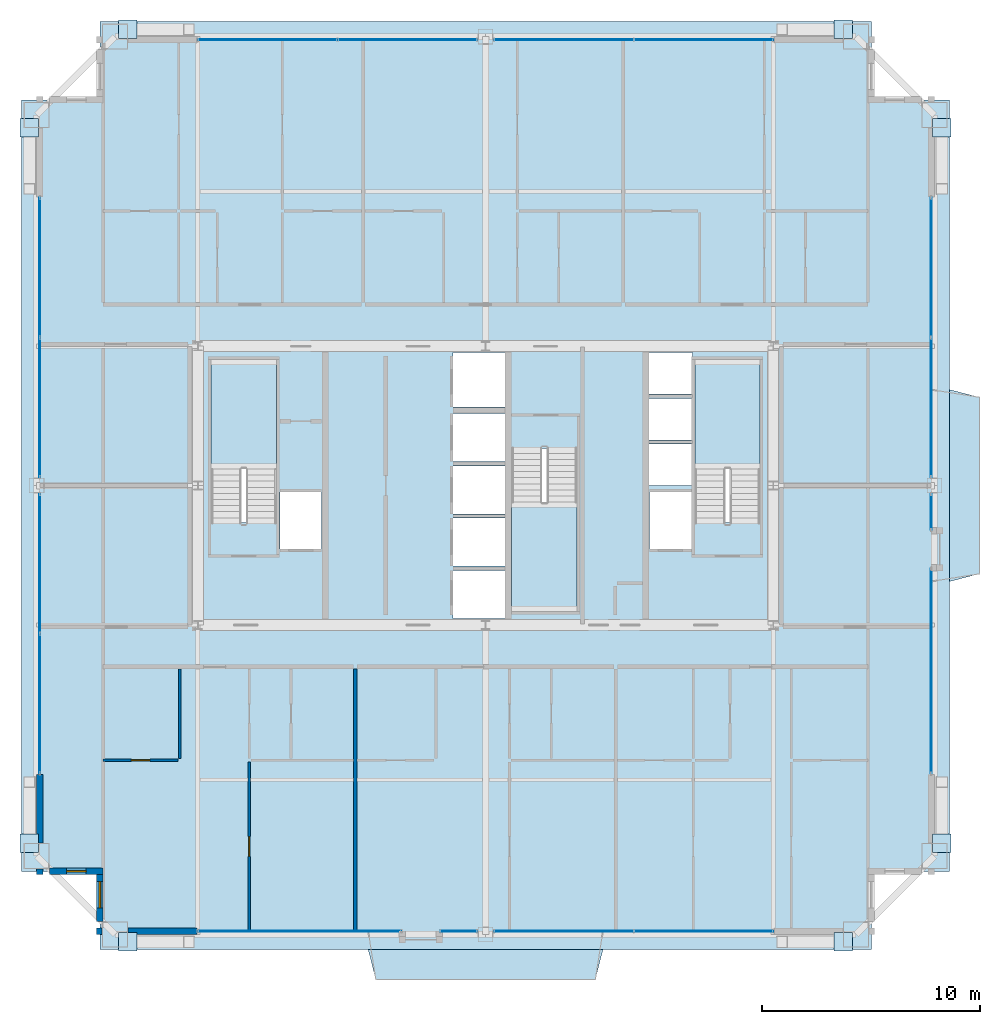
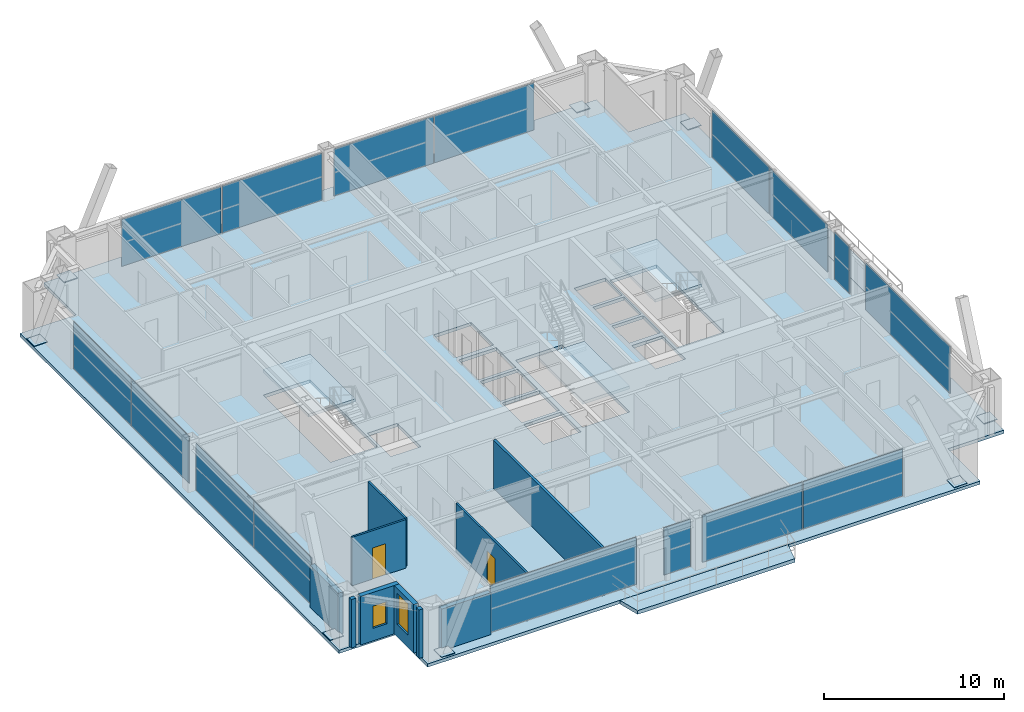
# One storey, part 29 of 35: 24 plates, 10 walls, 6 slabs, 2 doors, 2 windows, 4 openings, 13 elements without a shape of their own.
"""IFC4 building model written with IfcOpenShell, lengths in metres."""

import ifcopenshell
import ifcopenshell.guid

model = None  # the IFC model being written
_history = None  # IfcOwnerHistory: only IFC2X3 demands one
_inside = {}  # id of a spatial element -> (the spatial element, [elements in it])
_under = {}  # id of a project, library or spatial element -> (it, [spatial elements below it])
_declared = {}  # id of a project -> (the project, [libraries it declares])
_typed = {}  # id of a type object -> (the type object, [elements of that type])
_made_of = {}  # id of a material, layer set ... -> (it, [elements and type objects made of it])


def new_model(schema):
    """Start an empty IFC model of exactly this schema.

    Asked for "IFC4X3", IfcOpenShell would pick the latest addendum, in which some entities
    have other attributes; the version numbers below select the first issue.
    IFC2X3 requires an IfcOwnerHistory on every rooted entity: one is made here for all.
    """
    global model, _history
    if schema == "IFC4X3":
        model = ifcopenshell.file(schema_version=(4, 3, 0, 0))
    else:
        model = ifcopenshell.file(schema=schema)
    _inside.clear()
    _under.clear()
    _declared.clear()
    _typed.clear()
    _made_of.clear()
    _history = None
    if model.schema == "IFC2X3":
        org = make("IfcOrganization", Name="unknown")
        user = make(
            "IfcPersonAndOrganization",
            ThePerson=make("IfcPerson", FamilyName="unknown"),
            TheOrganization=org,
        )
        app = make(
            "IfcApplication",
            ApplicationDeveloper=org,
            Version="unknown",
            ApplicationFullName="unknown",
            ApplicationIdentifier="unknown",
        )
        _history = make(
            "IfcOwnerHistory",
            OwningUser=user,
            OwningApplication=app,
            ChangeAction="ADDED",
            CreationDate=0,
        )
    return model


def make(cls, **values):
    """One entity of the class cls with the attributes given. An attribute that is None is left unset."""
    return model.create_entity(
        cls, **{name: value for name, value in values.items() if value is not None}
    )


def rooted(cls, **values):
    """An entity with a GlobalId (a new one), such as an element, a storey or a relation."""
    return make(cls, GlobalId=ifcopenshell.guid.new(), OwnerHistory=_history, **values)


def si_unit(unit_type, name, prefix=None):
    """IfcSIUnit, for example si_unit("LENGTHUNIT", "METRE", prefix="MILLI")."""
    return make("IfcSIUnit", UnitType=unit_type, Prefix=prefix, Name=name)


def assignment(units):
    """IfcUnitAssignment: the units of a project."""
    return None if units is None else make("IfcUnitAssignment", Units=units)


def point(xyz):
    """IfcCartesianPoint."""
    return None if xyz is None else make("IfcCartesianPoint", Coordinates=xyz)


def direction(xyz):
    """IfcDirection."""
    return None if xyz is None else make("IfcDirection", DirectionRatios=xyz)


def frame(location, z_axis=None, x_axis=None):
    """IfcAxis2Placement3D, a coordinate frame: its origin and axes. An axis left out is left unset."""
    return make(
        "IfcAxis2Placement3D",
        Location=point(location),
        Axis=direction(z_axis),
        RefDirection=direction(x_axis),
    )


def frame_2d(location, x_axis=None):
    """IfcAxis2Placement2D, a coordinate frame in the plane: its origin and x axis."""
    return make(
        "IfcAxis2Placement2D", Location=point(location), RefDirection=direction(x_axis)
    )


def origin():
    """The frame at (0, 0, 0) with its axes left unset."""
    return frame((0.0, 0.0, 0.0))


def origin_2d():
    """The frame at (0, 0) in the plane with its x axis left unset."""
    return frame_2d((0.0, 0.0))


def place(relative_to, where):
    """IfcLocalPlacement: puts the frame where relative to a parent placement (None: the world)."""
    return make(
        "IfcLocalPlacement", PlacementRelTo=relative_to, RelativePlacement=where
    )


def context(
    kind, dimensions, precision=None, world=None, true_north=None, identifier=None
):
    """IfcGeometricRepresentationContext, for example the 3D "Model" context."""
    return make(
        "IfcGeometricRepresentationContext",
        ContextIdentifier=identifier,
        ContextType=kind,
        CoordinateSpaceDimension=dimensions,
        Precision=precision,
        WorldCoordinateSystem=world,
        TrueNorth=true_north,
    )


def subcontext(parent, identifier, kind, view, scale=None):
    """IfcGeometricRepresentationSubContext, for example "Body" below "Model"."""
    return make(
        "IfcGeometricRepresentationSubContext",
        ContextIdentifier=identifier,
        ContextType=kind,
        ParentContext=parent,
        TargetScale=scale,
        TargetView=view,
    )


def project(units=None, contexts=None):
    """IfcProject with its units and contexts."""
    return rooted(
        "IfcProject",
        Name="project",
        RepresentationContexts=contexts,
        UnitsInContext=assignment(units),
    )


def spatial(cls, under=None, at=None, **own):
    """A site, building, storey or space (cls), placed at a placement, below another one or the project."""
    s = rooted(cls, ObjectPlacement=at, **own)
    if under is not None:
        _under.setdefault(under.id(), (under, []))[1].append(s)
    return s


def polyline(points):
    """IfcPolyline through the points."""
    return make("IfcPolyline", Points=[point(p) for p in points])


def profile(cls, at=None, kind="AREA", **sizes):
    """A parametric profile (cls). Its sizes go by their IFC names, for example OverallWidth=200.0."""
    return make(cls, ProfileType=kind, Position=at, **sizes)


def rectangle(**sizes):
    """IfcRectangleProfileDef."""
    return profile("IfcRectangleProfileDef", **sizes)


def outline(outer, holes=None, kind="AREA"):
    """IfcArbitraryClosedProfileDef: a profile drawn as a closed curve; with holes, ...WithVoids."""
    if holes is None:
        return make("IfcArbitraryClosedProfileDef", ProfileType=kind, OuterCurve=outer)
    return make(
        "IfcArbitraryProfileDefWithVoids",
        ProfileType=kind,
        OuterCurve=outer,
        InnerCurves=holes,
    )


def extrude(swept, where, along, depth):
    """IfcExtrudedAreaSolid: the profile swept, set in the frame where, extruded along a direction by depth."""
    return make(
        "IfcExtrudedAreaSolid",
        SweptArea=swept,
        Position=where,
        ExtrudedDirection=direction(along),
        Depth=depth,
    )


def shape(context_of_items, identifier, shape_type, items):
    """IfcShapeRepresentation: the items that make up one representation, for example the "Body"."""
    return make(
        "IfcShapeRepresentation",
        ContextOfItems=context_of_items,
        RepresentationIdentifier=identifier,
        RepresentationType=shape_type,
        Items=items,
    )


def source(mapping_origin, context_of_items, identifier, shape_type, items):
    """IfcRepresentationMap: a shape defined once, which mapped items show again and again."""
    return make(
        "IfcRepresentationMap",
        MappingOrigin=mapping_origin,
        MappedRepresentation=shape(context_of_items, identifier, shape_type, items),
    )


def transform(
    local_origin,
    x_axis=None,
    y_axis=None,
    z_axis=None,
    scale=None,
    scale2=None,
    scale3=None,
    uniform=True,
):
    """IfcCartesianTransformationOperator3D, or its non-uniform kind. x_axis, y_axis, z_axis: its Axis1, 2, 3."""
    if uniform:
        return make(
            "IfcCartesianTransformationOperator3D",
            Axis1=direction(x_axis),
            Axis2=direction(y_axis),
            LocalOrigin=point(local_origin),
            Scale=scale,
            Axis3=direction(z_axis),
        )
    return make(
        "IfcCartesianTransformationOperator3DnonUniform",
        Axis1=direction(x_axis),
        Axis2=direction(y_axis),
        LocalOrigin=point(local_origin),
        Scale=scale,
        Axis3=direction(z_axis),
        Scale2=scale2,
        Scale3=scale3,
    )


def mapped(mapping_source, mapping_target):
    """IfcMappedItem: shows the shape of a source again, moved by a transform."""
    return make(
        "IfcMappedItem", MappingSource=mapping_source, MappingTarget=mapping_target
    )


def material(Name=None, Category=None):
    """IfcMaterial."""
    return make("IfcMaterial", Name=Name, Category=Category)


def layer(
    of_material, thickness, ventilated=None, Name=None, Category=None, Priority=None
):
    """IfcMaterialLayer: one layer of a wall or slab, of a material (None: an air gap)."""
    return make(
        "IfcMaterialLayer",
        Material=of_material,
        LayerThickness=thickness,
        IsVentilated=ventilated,
        Name=Name,
        Category=Category,
        Priority=Priority,
    )


def layer_set(layers, Name=None):
    """IfcMaterialLayerSet."""
    return make("IfcMaterialLayerSet", MaterialLayers=layers, LayerSetName=Name)


def made_of(thing, what):
    """Note that an element or type object is made of a material, layer set ...; save() writes the relation."""
    if what is not None:
        _made_of.setdefault(what.id(), (what, []))[1].append(thing)
    return thing


def type_object(cls, material=None, **own):
    """A type object (cls), such as IfcWallType, which elements share."""
    return made_of(rooted(cls, **own), material)


def element(
    cls,
    number,
    at=None,
    inside=None,
    cuts=None,
    type_object=None,
    material=None,
    context=None,
    identifier="Body",
    shape_type=None,
    held_by="IfcProductDefinitionShape",
    body=None,
    shapes=None,
    **own,
):
    """One element of the class cls, such as IfcWall. Its Tag is "e" and its number.

    at: its placement. inside: the storey or other place that contains it. cuts: it is an
    opening in that element (IfcRelVoidsElement). A single representation is given by context,
    identifier, shape_type and body (its items); several are given by shapes. held_by: the class
    of the entity that holds the representations. save() writes the other relations.
    """
    e = rooted(cls, Tag="e%d" % number, ObjectPlacement=at, **own)
    if body is not None:
        shapes = [shape(context, identifier, shape_type, body)]
    if shapes is not None:
        e.Representation = make(held_by, Representations=shapes)
    if inside is not None:
        _inside.setdefault(inside.id(), (inside, []))[1].append(e)
    if cuts is not None:
        rooted(
            "IfcRelVoidsElement", RelatingBuildingElement=cuts, RelatedOpeningElement=e
        )
    if type_object is not None:
        _typed.setdefault(type_object.id(), (type_object, []))[1].append(e)
    return made_of(e, material)


def fill(opening, filler):
    """IfcRelFillsElement: the door or window that sits in an opening."""
    return rooted(
        "IfcRelFillsElement",
        RelatingOpeningElement=opening,
        RelatedBuildingElement=filler,
    )


def aggregate(whole, parts):
    """IfcRelAggregates: a whole, such as a stair, and the parts it consists of."""
    return rooted("IfcRelAggregates", RelatingObject=whole, RelatedObjects=parts)


def save(model, path):
    """Write the relations noted so far, then the file.

    IfcRelAggregates (storeys below a building ...), IfcRelContainedInSpatialStructure (elements
    in a storey), IfcRelDefinesByType, IfcRelAssociatesMaterial and IfcRelDeclares: one each for
    every whole, place, type object, material and project.
    """
    for whole, parts in _under.values():
        aggregate(whole, parts)
    for where, things in _inside.values():
        rooted(
            "IfcRelContainedInSpatialStructure",
            RelatedElements=things,
            RelatingStructure=where,
        )
    for kind, things in _typed.values():
        rooted("IfcRelDefinesByType", RelatedObjects=things, RelatingType=kind)
    for what, things in _made_of.values():
        rooted("IfcRelAssociatesMaterial", RelatedObjects=things, RelatingMaterial=what)
    for by, libraries in _declared.values():
        rooted("IfcRelDeclares", RelatingContext=by, RelatedDefinitions=libraries)
    model.write(path)


model = new_model("IFC4")

# Units and contexts
model_context = context("Model", 3, precision=1e-05, world=origin(), true_north=direction((0.0, 1.0)))
body_context = subcontext(model_context, "Body", "Model", "MODEL_VIEW")
ifc_project = project(units=[si_unit("LENGTHUNIT", "METRE"), si_unit("AREAUNIT", "SQUARE_METRE"), si_unit("VOLUMEUNIT", "CUBIC_METRE"), si_unit("PLANEANGLEUNIT", "RADIAN"), si_unit("MASSUNIT", "GRAM", prefix="KILO"), si_unit("THERMODYNAMICTEMPERATUREUNIT", "KELVIN"), si_unit("POWERUNIT", "WATT")], contexts=[model_context])

# Site, building, storey
site_placement = place(None, origin())
site = spatial("IfcSite", under=ifc_project, at=site_placement, CompositionType="ELEMENT")
building_placement = place(site_placement, origin())
building = spatial("IfcBuilding", under=site, at=building_placement, Name="Yuzanri Waterfront Tower", CompositionType="ELEMENT")
storey_placement = place(building_placement, frame((0.0, 0.0, 248.60009765625)))
storey = spatial("IfcBuildingStorey", under=building, at=storey_placement, Name="L66", CompositionType="ELEMENT", Elevation=248.60009765625)

# Stair, slab
ifc_material_1 = material(Name="Concrete C40", Category="concrete")
stair_type = type_object("IfcStairType", Name="Concrete C40 Core Dogleg Exit Stair", PredefinedType="HALF_TURN_STAIR", material=ifc_material_1)
stair_1_placement = place(storey_placement, origin())
stair_1 = element("IfcStair", 1, at=stair_1_placement, inside=storey, type_object=stair_type, Name="L66 Smoke-Proof Core Stair ST-01", PredefinedType="HALF_TURN_STAIR")
ifc_material_2 = material(Name="Concrete C40", Category="concrete")
ifc_layer_1 = layer(ifc_material_2, 0.179931640625)
ifc_layer_set_1 = layer_set([ifc_layer_1], Name="Concrete C40")
slab_type_1 = type_object("IfcSlabType", Name="Concrete C40 Stair Half-Landing Slab 180", PredefinedType="LANDING", material=ifc_layer_set_1)
slab_1_placement = place(storey_placement, frame((0.0, 0.0, 1.5498046875)))
slab_1 = element("IfcSlab", 2, at=slab_1_placement, type_object=slab_type_1, Name="ST-01 landing 1", PredefinedType="LANDING", context=body_context, shape_type="SweptSolid", body=[
    extrude(outline(polyline([(27.39990234375, 26.56005859375), (27.39990234375, 31.580078125), (24.39990234375, 31.580078125), (24.39990234375, 26.56005859375), (27.39990234375, 26.56005859375)])), origin(), (0.0, 0.0, 1.0), 0.2001953125),
])
aggregate(stair_1, [slab_1])

stair_2_placement = place(storey_placement, origin())
stair_2 = element("IfcStair", 3, at=stair_2_placement, inside=storey, type_object=stair_type, Name="L66 Smoke-Proof Core Stair ST-02", PredefinedType="HALF_TURN_STAIR")
slab_2_placement = place(storey_placement, frame((0.0, 0.0, 1.5498046875)))
slab_2 = element("IfcSlab", 4, at=slab_2_placement, type_object=slab_type_1, Name="ST-02 landing 1", PredefinedType="LANDING", context=body_context, shape_type="SweptSolid", body=[
    extrude(outline(polyline([(49.60009765625, 26.56005859375), (49.60009765625, 31.580078125), (46.60009765625, 31.580078125), (46.60009765625, 26.56005859375), (49.60009765625, 26.56005859375)])), origin(), (0.0, 0.0, 1.0), 0.2001953125),
])
aggregate(stair_2, [slab_2])

stair_3_placement = place(storey_placement, origin())
stair_3 = element("IfcStair", 5, at=stair_3_placement, inside=storey, type_object=stair_type, Name="L66 Smoke-Proof Core Stair ST-03", PredefinedType="HALF_TURN_STAIR")
slab_3_placement = place(storey_placement, frame((0.0, 0.0, 1.5498046875)))
slab_3 = element("IfcSlab", 6, at=slab_3_placement, type_object=slab_type_1, Name="ST-03 landing 1", PredefinedType="LANDING", context=body_context, shape_type="SweptSolid", body=[
    extrude(outline(polyline([(38.199951171875, 25.0400390625), (38.199951171875, 20.02001953125), (41.199951171875, 20.02001953125), (41.199951171875, 25.0400390625), (38.199951171875, 25.0400390625)])), origin(), (0.0, 0.0, 1.0), 0.2001953125),
])
aggregate(stair_3, [slab_3])

# Slabs
ifc_material_3 = material(Name="Concrete C40", Category="concrete")
ifc_layer_2 = layer(ifc_material_3, 0.25)
ifc_layer_set_2 = layer_set([ifc_layer_2], Name="Concrete C40")
slab_type_2 = type_object("IfcSlabType", Name="Concrete C40 Stepped Gorge Pocket Garden Terrace Slab 250", PredefinedType="FLOOR", material=ifc_layer_set_2)
slab_4_placement = place(storey_placement, frame((0.0, 0.0, -0.25)))
element("IfcSlab", 7, at=slab_4_placement, inside=storey, type_object=slab_type_2, Name="L66 S Cantilevered Engawa Terrace Slab", PredefinedType="FLOOR", context=body_context, shape_type="SweptSolid", body=[
    extrude(outline(polyline([(31.614501953125, 4.5), (42.385498046875, 4.5), (42.035400390625, 3.135009765625), (31.964599609375, 3.135009765625), (31.614501953125, 4.5)])), origin(), (0.0, 0.0, 1.0), 0.25),
])
slab_5_placement = place(storey_placement, frame((0.0, 0.0, -0.25)))
element("IfcSlab", 8, at=slab_5_placement, inside=storey, type_object=slab_type_2, Name="L66 E Cantilevered Engawa Terrace Slab", PredefinedType="FLOOR", context=body_context, shape_type="SweptSolid", body=[
    extrude(outline(polyline([(58.300048828125, 21.39990234375), (59.6650390625, 21.75), (59.6650390625, 29.85009765625), (58.300048828125, 30.199951171875), (58.300048828125, 21.39990234375)])), origin(), (0.0, 0.0, 1.0), 0.25),
])
ifc_material_4 = material(Name="Concrete C40", Category="concrete")
ifc_layer_3 = layer(ifc_material_4, 0.219970703125)
ifc_layer_set_3 = layer_set([ifc_layer_3], Name="Concrete C40")
slab_type_3 = type_object("IfcSlabType", Name="Concrete C40 Tower Typical Structural Floor Slab 220", PredefinedType="FLOOR", material=ifc_layer_set_3)
slab_6_placement = place(storey_placement, frame((0.0, 0.0, -0.22021484375)))
element("IfcSlab", 9, at=slab_6_placement, inside=storey, type_object=slab_type_3, Name="L66 Main Structural Floor Slab", PredefinedType="FLOOR", context=body_context, shape_type="SweptSolid", body=[
    extrude(outline(polyline([(19.300048828125, 4.5), (54.699951171875, 4.5), (54.699951171875, 8.10009765625), (58.300048828125, 8.10009765625), (58.300048828125, 43.5), (54.699951171875, 43.5), (54.699951171875, 47.10009765625), (19.300048828125, 47.10009765625), (19.300048828125, 43.5), (15.699951171875, 43.5), (15.699951171875, 8.10009765625), (19.300048828125, 8.10009765625), (19.300048828125, 4.5)]), holes=[polyline([(27.39990234375, 24.10009765625), (27.39990234375, 31.580078125), (24.39990234375, 31.580078125), (24.39990234375, 24.10009765625), (27.39990234375, 24.10009765625)]), polyline([(49.60009765625, 24.10009765625), (49.60009765625, 31.580078125), (46.60009765625, 31.580078125), (46.60009765625, 24.10009765625), (49.60009765625, 24.10009765625)]), polyline([(38.199951171875, 27.5), (38.199951171875, 20.02001953125), (41.199951171875, 20.02001953125), (41.199951171875, 27.5), (38.199951171875, 27.5)]), polyline([(27.56005859375, 22.89990234375), (29.47998046875, 22.89990234375), (29.47998046875, 25.5), (27.56005859375, 25.5), (27.56005859375, 22.89990234375)]), polyline([(44.52001953125, 22.89990234375), (46.43994140625, 22.89990234375), (46.43994140625, 25.5), (44.52001953125, 25.5), (44.52001953125, 22.89990234375)]), polyline([(35.5, 19.699951171875), (37.89990234375, 19.699951171875), (37.89990234375, 21.89990234375), (35.5, 21.89990234375), (35.5, 19.699951171875)]), polyline([(35.5, 22.10009765625), (37.89990234375, 22.10009765625), (37.89990234375, 24.300048828125), (35.5, 24.300048828125), (35.5, 22.10009765625)]), polyline([(35.5, 24.5), (37.89990234375, 24.5), (37.89990234375, 26.699951171875), (35.5, 26.699951171875), (35.5, 24.5)]), polyline([(35.5, 26.89990234375), (37.89990234375, 26.89990234375), (37.89990234375, 29.10009765625), (35.5, 29.10009765625), (35.5, 26.89990234375)]), polyline([(35.5, 29.39990234375), (37.89990234375, 29.39990234375), (37.89990234375, 31.89990234375), (35.5, 31.89990234375), (35.5, 29.39990234375)]), polyline([(44.5, 25.800048828125), (46.5, 25.800048828125), (46.5, 27.699951171875), (44.5, 27.699951171875), (44.5, 25.800048828125)]), polyline([(44.5, 27.89990234375), (46.5, 27.89990234375), (46.5, 29.800048828125), (44.5, 29.800048828125), (44.5, 27.89990234375)]), polyline([(44.5, 30.0), (46.5, 30.0), (46.5, 31.89990234375), (44.5, 31.89990234375), (44.5, 30.0)])]), origin(), (0.0, 0.0, 1.0), 0.22021484375),
])

# Plates
ifc_material_5 = material(Name="Steel Q420GJC", Category="steel")
ifc_layer_4 = layer(ifc_material_5, 0.0400390625)
ifc_layer_set_4 = layer_set([ifc_layer_4], Name="Steel Q420GJC")
plate_type_1 = type_object("IfcPlateType", Name="Steel Q420GJC Mega-Brace Gusset and End-Cap Plate 40", PredefinedType="SHEET", material=ifc_layer_set_4)
shared_shape_1 = source(origin(), body_context, "Body", "SweptSolid", [
    extrude(rectangle(XDim=0.85009765625, YDim=0.85009765625, at=origin_2d()), origin(), (0.0, 0.0, 1.0), 0.0400390625),
])
for number, where, z_axis, x_axis, name in (
    (10, (20.580078125, 4.860107421875, 0.159912109375), (0.0, 0.0, 1.0), (1.0, 0.0, 0.0), "L66 Mega-Brace Foot Cap Plate S-L"),
    (11, (53.419921875, 4.860107421875, 0.159912109375), (0.0, 0.0, 1.0), (1.0, 0.0, 0.0), "L66 Mega-Brace Foot Cap Plate S-R"),
    (12, (20.580078125, 46.739990234375, 0.159912109375), (0.0, 0.0, 1.0), (1.0, 0.0, 0.0), "L66 Mega-Brace Foot Cap Plate N-L"),
    (13, (53.419921875, 46.739990234375, 0.159912109375), (0.0, 0.0, 1.0), (1.0, 0.0, 0.0), "L66 Mega-Brace Foot Cap Plate N-R"),
    (14, (16.06005859375, 9.3798828125, 0.159912109375), (0.0, 0.0, 1.0), (1.0, 0.0, 0.0), "L66 Mega-Brace Foot Cap Plate W-L"),
    (15, (16.06005859375, 42.219970703125, 0.159912109375), (0.0, 0.0, 1.0), (1.0, 0.0, 0.0), "L66 Mega-Brace Foot Cap Plate W-R"),
    (16, (57.93994140625, 9.3798828125, 0.159912109375), (0.0, 0.0, 1.0), (1.0, 0.0, 0.0), "L66 Mega-Brace Foot Cap Plate E-L"),
    (17, (57.93994140625, 42.219970703125, 0.159912109375), (0.0, 0.0, 1.0), (1.0, 0.0, 0.0), "L66 Mega-Brace Foot Cap Plate E-R"),
):
    element("IfcPlate", number, at=place(storey_placement, frame(where, z_axis=z_axis, x_axis=x_axis)), inside=storey, type_object=plate_type_1, Name=name, PredefinedType="SHEET", context=body_context, shape_type="MappedRepresentation", body=[
        mapped(shared_shape_1, transform((0.0, 0.0, 0.0), scale=1.0)),
    ])

# Curtain wall, plates
ifc_material_6 = material(Name="Anodized Architectural Bronze", Category="metal")
ifc_layer_5 = layer(ifc_material_6, 0.159912109375)
ifc_layer_set_5 = layer_set([ifc_layer_5], Name="Anodized Architectural Bronze")
curtain_wall_type = type_object("IfcCurtainWallType", Name="Anodized Bronze Mid-Rise Residential Acoustic Unitized Curtain Wall 7200", PredefinedType="NOTDEFINED", material=ifc_layer_set_5)
curtain_wall_1_placement = place(storey_placement, origin())
curtain_wall_1 = element("IfcCurtainWall", 18, at=curtain_wall_1_placement, inside=storey, type_object=curtain_wall_type, Name="L66 Curtain Wall CW-L66-SR", PredefinedType="NOTDEFINED")
ifc_material_7 = material(Name="Triple Low-E Laminated Insulated Glass", Category="glass")
ifc_layer_6 = layer(ifc_material_7, 0.0439453125)
ifc_layer_set_6 = layer_set([ifc_layer_6], Name="Triple Low-E Laminated Insulated Glass")
plate_type_2 = type_object("IfcPlateType", Name="Triple Glazed Acoustic Vision Glass Panel 44", PredefinedType="CURTAIN_PANEL", material=ifc_layer_set_6)
shared_shape_2 = source(origin(), body_context, "Body", "SweptSolid", [
    extrude(rectangle(XDim=6.3701171875, YDim=0.0439453125, at=origin_2d()), origin(), (0.0, 0.0, 1.0), 3.179931640625),
])
plate_1_placement = place(storey_placement, frame((40.574951171875, 5.35009765625, 0.0498046875), z_axis=(0.0, 0.0, 1.0), x_axis=(1.0, 0.0, 0.0)))
plate_1 = element("IfcPlate", 19, at=plate_1_placement, type_object=plate_type_2, Name="CW-L66-SR Vision Glass Panel 01", PredefinedType="CURTAIN_PANEL", context=body_context, shape_type="MappedRepresentation", body=[
    mapped(shared_shape_2, transform((0.0, 0.0, 0.0), scale=1.0)),
])
plate_2_placement = place(storey_placement, frame((47.02490234375, 5.35009765625, 0.0498046875), z_axis=(0.0, 0.0, 1.0), x_axis=(1.0, 0.0, 0.0)))
plate_2 = element("IfcPlate", 20, at=plate_2_placement, type_object=plate_type_2, Name="CW-L66-SR Vision Glass Panel 02", PredefinedType="CURTAIN_PANEL", context=body_context, shape_type="MappedRepresentation", body=[
    mapped(shared_shape_2, transform((0.0, 0.0, 0.0), scale=1.0)),
])
aggregate(curtain_wall_1, [plate_1, plate_2])

curtain_wall_2_placement = place(storey_placement, origin())
curtain_wall_2 = element("IfcCurtainWall", 21, at=curtain_wall_2_placement, inside=storey, type_object=curtain_wall_type, Name="L66 Curtain Wall CW-L66-NL", PredefinedType="NOTDEFINED")
plate_3_placement = place(storey_placement, frame((26.97509765625, 46.25, 0.0498046875), z_axis=(0.0, 0.0, 1.0), x_axis=(1.0, 0.0, 0.0)))
plate_3 = element("IfcPlate", 22, at=plate_3_placement, type_object=plate_type_2, Name="CW-L66-NL Vision Glass Panel 01", PredefinedType="CURTAIN_PANEL", context=body_context, shape_type="MappedRepresentation", body=[
    mapped(shared_shape_2, transform((0.0, 0.0, 0.0), scale=1.0)),
])
plate_4_placement = place(storey_placement, frame((33.425048828125, 46.25, 0.0498046875), z_axis=(0.0, 0.0, 1.0), x_axis=(1.0, 0.0, 0.0)))
plate_4 = element("IfcPlate", 23, at=plate_4_placement, type_object=plate_type_2, Name="CW-L66-NL Vision Glass Panel 02", PredefinedType="CURTAIN_PANEL", context=body_context, shape_type="MappedRepresentation", body=[
    mapped(shared_shape_2, transform((0.0, 0.0, 0.0), scale=1.0)),
])
aggregate(curtain_wall_2, [plate_3, plate_4])

curtain_wall_3_placement = place(storey_placement, origin())
curtain_wall_3 = element("IfcCurtainWall", 24, at=curtain_wall_3_placement, inside=storey, type_object=curtain_wall_type, Name="L66 Curtain Wall CW-L66-NR", PredefinedType="NOTDEFINED")
plate_5_placement = place(storey_placement, frame((40.574951171875, 46.25, 0.0498046875), z_axis=(0.0, 0.0, 1.0), x_axis=(1.0, 0.0, 0.0)))
plate_5 = element("IfcPlate", 25, at=plate_5_placement, type_object=plate_type_2, Name="CW-L66-NR Vision Glass Panel 01", PredefinedType="CURTAIN_PANEL", context=body_context, shape_type="MappedRepresentation", body=[
    mapped(shared_shape_2, transform((0.0, 0.0, 0.0), scale=1.0)),
])
plate_6_placement = place(storey_placement, frame((47.02490234375, 46.25, 0.0498046875), z_axis=(0.0, 0.0, 1.0), x_axis=(1.0, 0.0, 0.0)))
plate_6 = element("IfcPlate", 26, at=plate_6_placement, type_object=plate_type_2, Name="CW-L66-NR Vision Glass Panel 02", PredefinedType="CURTAIN_PANEL", context=body_context, shape_type="MappedRepresentation", body=[
    mapped(shared_shape_2, transform((0.0, 0.0, 0.0), scale=1.0)),
])
aggregate(curtain_wall_3, [plate_5, plate_6])

curtain_wall_4_placement = place(storey_placement, origin())
curtain_wall_4 = element("IfcCurtainWall", 27, at=curtain_wall_4_placement, inside=storey, type_object=curtain_wall_type, Name="L66 Curtain Wall CW-L66-WL", PredefinedType="NOTDEFINED")
plate_7_placement = place(storey_placement, frame((16.550048828125, 15.77490234375, 0.0498046875), z_axis=(0.0, 0.0, 1.0), x_axis=(0.0, 1.0, 0.0)))
plate_7 = element("IfcPlate", 28, at=plate_7_placement, type_object=plate_type_2, Name="CW-L66-WL Vision Glass Panel 01", PredefinedType="CURTAIN_PANEL", context=body_context, shape_type="MappedRepresentation", body=[
    mapped(shared_shape_2, transform((0.0, 0.0, 0.0), scale=1.0)),
])
plate_8_placement = place(storey_placement, frame((16.550048828125, 22.22509765625, 0.0498046875), z_axis=(0.0, 0.0, 1.0), x_axis=(0.0, 1.0, 0.0)))
plate_8 = element("IfcPlate", 29, at=plate_8_placement, type_object=plate_type_2, Name="CW-L66-WL Vision Glass Panel 02", PredefinedType="CURTAIN_PANEL", context=body_context, shape_type="MappedRepresentation", body=[
    mapped(shared_shape_2, transform((0.0, 0.0, 0.0), scale=1.0)),
])
aggregate(curtain_wall_4, [plate_7, plate_8])

curtain_wall_5_placement = place(storey_placement, origin())
curtain_wall_5 = element("IfcCurtainWall", 30, at=curtain_wall_5_placement, inside=storey, type_object=curtain_wall_type, Name="L66 Curtain Wall CW-L66-WR", PredefinedType="NOTDEFINED")
plate_9_placement = place(storey_placement, frame((16.550048828125, 29.375, 0.0498046875), z_axis=(0.0, 0.0, 1.0), x_axis=(0.0, 1.0, 0.0)))
plate_9 = element("IfcPlate", 31, at=plate_9_placement, type_object=plate_type_2, Name="CW-L66-WR Vision Glass Panel 01", PredefinedType="CURTAIN_PANEL", context=body_context, shape_type="MappedRepresentation", body=[
    mapped(shared_shape_2, transform((0.0, 0.0, 0.0), scale=1.0)),
])
plate_10_placement = place(storey_placement, frame((16.550048828125, 35.824951171875, 0.0498046875), z_axis=(0.0, 0.0, 1.0), x_axis=(0.0, 1.0, 0.0)))
plate_10 = element("IfcPlate", 32, at=plate_10_placement, type_object=plate_type_2, Name="CW-L66-WR Vision Glass Panel 02", PredefinedType="CURTAIN_PANEL", context=body_context, shape_type="MappedRepresentation", body=[
    mapped(shared_shape_2, transform((0.0, 0.0, 0.0), scale=1.0)),
])
aggregate(curtain_wall_5, [plate_9, plate_10])

curtain_wall_6_placement = place(storey_placement, origin())
curtain_wall_6 = element("IfcCurtainWall", 33, at=curtain_wall_6_placement, inside=storey, type_object=curtain_wall_type, Name="L66 Curtain Wall CW-L66-ER", PredefinedType="NOTDEFINED")
plate_11_placement = place(storey_placement, frame((57.449951171875, 29.375, 0.0498046875), z_axis=(0.0, 0.0, 1.0), x_axis=(0.0, 1.0, 0.0)))
plate_11 = element("IfcPlate", 34, at=plate_11_placement, type_object=plate_type_2, Name="CW-L66-ER Vision Glass Panel 01", PredefinedType="CURTAIN_PANEL", context=body_context, shape_type="MappedRepresentation", body=[
    mapped(shared_shape_2, transform((0.0, 0.0, 0.0), scale=1.0)),
])
plate_12_placement = place(storey_placement, frame((57.449951171875, 35.824951171875, 0.0498046875), z_axis=(0.0, 0.0, 1.0), x_axis=(0.0, 1.0, 0.0)))
plate_12 = element("IfcPlate", 35, at=plate_12_placement, type_object=plate_type_2, Name="CW-L66-ER Vision Glass Panel 02", PredefinedType="CURTAIN_PANEL", context=body_context, shape_type="MappedRepresentation", body=[
    mapped(shared_shape_2, transform((0.0, 0.0, 0.0), scale=1.0)),
])
aggregate(curtain_wall_6, [plate_11, plate_12])

# Curtain wall, plate
curtain_wall_7_placement = place(storey_placement, origin())
curtain_wall_7 = element("IfcCurtainWall", 36, at=curtain_wall_7_placement, inside=storey, type_object=curtain_wall_type, Name="L66 Curtain Wall CW-L66-SL1", PredefinedType="NOTDEFINED")
shared_shape_3 = source(origin(), body_context, "Body", "SweptSolid", [
    extrude(rectangle(XDim=9.35205078125, YDim=0.0439453125, at=origin_2d()), origin(), (0.0, 0.0, 1.0), 3.179931640625),
])
plate_13_placement = place(storey_placement, frame((28.466064453125, 5.35009765625, 0.0498046875), z_axis=(0.0, 0.0, 1.0), x_axis=(1.0, 0.0, 0.0)))
plate_13 = element("IfcPlate", 37, at=plate_13_placement, type_object=plate_type_2, Name="CW-L66-SL1 Vision Glass Panel 01", PredefinedType="CURTAIN_PANEL", context=body_context, shape_type="MappedRepresentation", body=[
    mapped(shared_shape_3, transform((0.0, 0.0, 0.0), scale=1.0)),
])
aggregate(curtain_wall_7, [plate_13])

curtain_wall_8_placement = place(storey_placement, origin())
curtain_wall_8 = element("IfcCurtainWall", 38, at=curtain_wall_8_placement, inside=storey, type_object=curtain_wall_type, Name="L66 Curtain Wall CW-L66-SL2", PredefinedType="NOTDEFINED")
shared_shape_4 = source(origin(), body_context, "Body", "SweptSolid", [
    extrude(rectangle(XDim=1.68798828125, YDim=0.0439453125, at=origin_2d()), origin(), (0.0, 0.0, 1.0), 3.179931640625),
])
plate_14_placement = place(storey_placement, frame((35.76611328125, 5.35009765625, 0.0498046875), z_axis=(0.0, 0.0, 1.0), x_axis=(1.0, 0.0, 0.0)))
plate_14 = element("IfcPlate", 39, at=plate_14_placement, type_object=plate_type_2, Name="CW-L66-SL2 Vision Glass Panel 01", PredefinedType="CURTAIN_PANEL", context=body_context, shape_type="MappedRepresentation", body=[
    mapped(shared_shape_4, transform((0.0, 0.0, 0.0), scale=1.0)),
])
aggregate(curtain_wall_8, [plate_14])

curtain_wall_9_placement = place(storey_placement, origin())
curtain_wall_9 = element("IfcCurtainWall", 40, at=curtain_wall_9_placement, inside=storey, type_object=curtain_wall_type, Name="L66 Curtain Wall CW-L66-EL1", PredefinedType="NOTDEFINED")
shared_shape_5 = source(origin(), body_context, "Body", "SweptSolid", [
    extrude(rectangle(XDim=9.39501953125, YDim=0.0439453125, at=origin_2d()), origin(), (0.0, 0.0, 1.0), 3.179931640625),
])
plate_15_placement = place(storey_placement, frame((57.449951171875, 17.28759765625, 0.0498046875), z_axis=(0.0, 0.0, 1.0), x_axis=(0.0, 1.0, 0.0)))
plate_15 = element("IfcPlate", 41, at=plate_15_placement, type_object=plate_type_2, Name="CW-L66-EL1 Vision Glass Panel 01", PredefinedType="CURTAIN_PANEL", context=body_context, shape_type="MappedRepresentation", body=[
    mapped(shared_shape_5, transform((0.0, 0.0, 0.0), scale=1.0)),
])
aggregate(curtain_wall_9, [plate_15])

curtain_wall_10_placement = place(storey_placement, origin())
curtain_wall_10 = element("IfcCurtainWall", 42, at=curtain_wall_10_placement, inside=storey, type_object=curtain_wall_type, Name="L66 Curtain Wall CW-L66-EL2", PredefinedType="NOTDEFINED")
shared_shape_6 = source(origin(), body_context, "Body", "SweptSolid", [
    extrude(rectangle(XDim=1.64501953125, YDim=0.0439453125, at=origin_2d()), origin(), (0.0, 0.0, 1.0), 3.179931640625),
])
plate_16_placement = place(storey_placement, frame((57.449951171875, 24.58740234375, 0.0498046875), z_axis=(0.0, 0.0, 1.0), x_axis=(0.0, 1.0, 0.0)))
plate_16 = element("IfcPlate", 43, at=plate_16_placement, type_object=plate_type_2, Name="CW-L66-EL2 Vision Glass Panel 01", PredefinedType="CURTAIN_PANEL", context=body_context, shape_type="MappedRepresentation", body=[
    mapped(shared_shape_6, transform((0.0, 0.0, 0.0), scale=1.0)),
])
aggregate(curtain_wall_10, [plate_16])

# Wall, opening, door
ifc_material_8 = material(Name="Moisture-Resistant Gypsum Stud Wall", Category="gypsum")
ifc_layer_7 = layer(ifc_material_8, 0.1201171875)
ifc_layer_set_7 = layer_set([ifc_layer_7], Name="Moisture-Resistant Gypsum Stud Wall")
wall_type_1 = type_object("IfcWallType", Name="Bathroom and Kitchen Wet Partition 120", PredefinedType="PARTITIONING", material=ifc_layer_set_7)
wall_1_placement = place(storey_placement, frame((19.43994140625, 13.199951171875, 0.0), z_axis=(0.0, 0.0, 1.0), x_axis=(1.0, 0.0, 0.0)))
wall_1 = element("IfcWall", 44, at=wall_1_placement, inside=storey, type_object=wall_type_1, Name="L66 Partition UW-L66-RS1-SUB-1-S", PredefinedType="PARTITIONING", context=body_context, shape_type="SweptSolid", body=[
    extrude(rectangle(XDim=3.453125, YDim=0.1201171875, at=frame_2d((1.7265625, 0.0))), origin(), (0.0, 0.0, 1.0), 3.27978515625),
])
opening_1_placement = place(wall_1_placement, frame((1.301513671875, 0.0, 0.0)))
opening_1 = element("IfcOpeningElement", 45, at=opening_1_placement, cuts=wall_1, Name="Opening ID-0850", PredefinedType="OPENING", context=body_context, shape_type="SweptSolid", body=[
    extrude(rectangle(XDim=0.85009765625, YDim=2.10009765625, at=frame_2d((0.425048828125, 1.050048828125))), frame((0.0, 0.074951171875, 0.0), z_axis=(0.0, -1.0, 0.0), x_axis=(1.0, 0.0, 0.0)), (0.0, 0.0, 1.0), 0.14990234375),
])
ifc_material_9 = material(Name="Moisture-Resistant Lacquered Timber", Category="wood")
door_type_1 = type_object("IfcDoorType", Name="En-Suite Bathroom and Kitchen Swing Door 850x2100", OperationType="NOTDEFINED", PredefinedType="DOOR", material=ifc_material_9)
shared_shape_7 = source(origin(), body_context, "Body", "SweptSolid", [
    extrude(rectangle(XDim=0.85009765625, YDim=2.10009765625, at=frame_2d((0.425048828125, 1.050048828125))), frame((0.0, 0.02490234375, 0.0), z_axis=(0.0, -1.0, 0.0), x_axis=(1.0, 0.0, 0.0)), (0.0, 0.0, 1.0), 0.050048828125),
])
door_1_placement = place(opening_1_placement, origin())
door_1 = element("IfcDoor", 46, at=door_1_placement, inside=storey, type_object=door_type_1, Name="L66 Suite Interior Room Door", OperationType="SINGLE_SWING_LEFT", OverallHeight=2.10009765625, OverallWidth=0.85009765625, PredefinedType="DOOR", context=body_context, shape_type="MappedRepresentation", body=[
    mapped(shared_shape_7, transform((0.0, 0.0, 0.0), scale=1.0)),
])
fill(opening_1, door_1)

wall_2_placement = place(storey_placement, frame((26.157958984375, 5.35009765625, 0.0), z_axis=(0.0, 0.0, 1.0), x_axis=(0.0, 1.0, 0.0)))
wall_2 = element("IfcWall", 47, at=wall_2_placement, inside=storey, type_object=wall_type_1, Name="L66 Partition UW-L66-RS1-SUB-3-W", PredefinedType="PARTITIONING", context=body_context, shape_type="SweptSolid", body=[
    extrude(rectangle(XDim=7.77001953125, YDim=0.1201171875, at=frame_2d((3.885009765625, 0.0))), origin(), (0.0, 0.0, 1.0), 3.27978515625),
])
opening_2_placement = place(wall_2_placement, frame((3.43505859375, 0.0, 0.0)))
opening_2 = element("IfcOpeningElement", 48, at=opening_2_placement, cuts=wall_2, Name="Opening ID-0900", PredefinedType="OPENING", context=body_context, shape_type="SweptSolid", body=[
    extrude(rectangle(XDim=0.89990234375, YDim=2.14990234375, at=frame_2d((0.449951171875, 1.074951171875))), frame((0.0, 0.074951171875, 0.0), z_axis=(0.0, -1.0, 0.0), x_axis=(1.0, 0.0, 0.0)), (0.0, 0.0, 1.0), 0.14990234375),
])
ifc_material_10 = material(Name="Stained Walnut Veneer Timber", Category="wood")
door_type_2 = type_object("IfcDoorType", Name="Bedroom and Study Interior Swing Door 900x2150", OperationType="NOTDEFINED", PredefinedType="DOOR", material=ifc_material_10)
shared_shape_8 = source(origin(), body_context, "Body", "SweptSolid", [
    extrude(rectangle(XDim=0.89990234375, YDim=2.14990234375, at=frame_2d((0.449951171875, 1.074951171875))), frame((0.0, 0.02490234375, 0.0), z_axis=(0.0, -1.0, 0.0), x_axis=(1.0, 0.0, 0.0)), (0.0, 0.0, 1.0), 0.050048828125),
])
door_2_placement = place(opening_2_placement, origin())
door_2 = element("IfcDoor", 49, at=door_2_placement, inside=storey, type_object=door_type_2, Name="L66 Suite Interior Room Door", OperationType="SINGLE_SWING_LEFT", OverallHeight=2.14990234375, OverallWidth=0.89990234375, PredefinedType="DOOR", context=body_context, shape_type="MappedRepresentation", body=[
    mapped(shared_shape_8, transform((0.0, 0.0, 0.0), scale=1.0)),
])
fill(opening_2, door_2)

# Wall, opening, window
ifc_material_11 = material(Name="Honed Chongqing Dark Basalt Stone", Category="masonry")
ifc_layer_8 = layer(ifc_material_11, 0.300048828125)
ifc_layer_set_8 = layer_set([ifc_layer_8], Name="Honed Chongqing Dark Basalt Stone")
wall_type_2 = type_object("IfcWallType", Name="Bronze Rainscreen Insulated Spandrel Portal Wall 300", PredefinedType="SOLIDWALL", material=ifc_layer_set_8)
wall_3_placement = place(storey_placement, frame((17.0, 8.10009765625, 0.0), z_axis=(0.0, 0.0, 1.0), x_axis=(1.0, 0.0, 0.0)))
wall_3 = element("IfcWall", 50, at=wall_3_placement, inside=storey, type_object=wall_type_2, Name="L66 Notched Corner Masonry Wall SW-X", PredefinedType="SOLIDWALL", context=body_context, shape_type="SweptSolid", body=[
    extrude(rectangle(XDim=2.449951171875, YDim=0.300048828125, at=frame_2d((1.22509765625, 0.0))), origin(), (0.0, 0.0, 1.0), 3.27978515625),
])
opening_3_placement = place(wall_3_placement, frame((0.77490234375, 0.0, 0.85009765625)))
opening_3 = element("IfcOpeningElement", 51, at=opening_3_placement, cuts=wall_3, Name="Opening WN-05", PredefinedType="OPENING", context=body_context, shape_type="SweptSolid", body=[
    extrude(rectangle(XDim=0.89990234375, YDim=1.5, at=frame_2d((0.449951171875, 0.75))), frame((0.0, 0.1650390625, 0.0), z_axis=(0.0, -1.0, 0.0), x_axis=(1.0, 0.0, 0.0)), (0.0, 0.0, 1.0), 0.329833984375),
])
ifc_material_12 = material(Name="Double-Silver Low-E Insulated Glass", Category="glass")
window_type_1 = type_object("IfcWindowType", Name="Anodized Bronze Service and Stairwell Smoke-Vent Window 900x1500", PartitioningType="SINGLE_PANEL", PredefinedType="WINDOW", material=ifc_material_12)
shared_shape_9 = source(origin(), body_context, "Body", "SweptSolid", [
    extrude(rectangle(XDim=0.89990234375, YDim=1.5, at=frame_2d((0.449951171875, 0.75))), frame((0.0, 0.030029296875, 0.0), z_axis=(0.0, -1.0, 0.0), x_axis=(1.0, 0.0, 0.0)), (0.0, 0.0, 1.0), 0.06005859375),
])
window_1_placement = place(opening_3_placement, origin())
window_1 = element("IfcWindow", 52, at=window_1_placement, inside=storey, type_object=window_type_1, Name="L66 Notched Corner Window SW-X", OverallHeight=1.5, OverallWidth=0.89990234375, PartitioningType="SINGLE_PANEL", PredefinedType="WINDOW", context=body_context, shape_type="MappedRepresentation", body=[
    mapped(shared_shape_9, transform((0.0, 0.0, 0.0), scale=1.0)),
])
fill(opening_3, window_1)

wall_4_placement = place(storey_placement, frame((19.300048828125, 8.25, 0.0), z_axis=(0.0, 0.0, 1.0), x_axis=(0.0, -1.0, 0.0)))
wall_4 = element("IfcWall", 53, at=wall_4_placement, inside=storey, type_object=wall_type_2, Name="L66 Notched Corner Masonry Wall SW-Y", PredefinedType="SOLIDWALL", context=body_context, shape_type="SweptSolid", body=[
    extrude(rectangle(XDim=2.449951171875, YDim=0.300048828125, at=frame_2d((1.22509765625, 0.0))), origin(), (0.0, 0.0, 1.0), 3.27978515625),
])
opening_4_placement = place(wall_4_placement, frame((0.625, 0.0, 0.85009765625)))
opening_4 = element("IfcOpeningElement", 54, at=opening_4_placement, cuts=wall_4, Name="Opening WN-02", PredefinedType="OPENING", context=body_context, shape_type="SweptSolid", body=[
    extrude(rectangle(XDim=1.199951171875, YDim=2.10009765625, at=frame_2d((0.60009765625, 1.050048828125))), frame((0.0, 0.1650390625, 0.0), z_axis=(0.0, -1.0, 0.0), x_axis=(1.0, 0.0, 0.0)), (0.0, 0.0, 1.0), 0.329833984375),
])
ifc_material_13 = material(Name="Double-Silver Low-E Insulated Glass", Category="glass")
window_type_2 = type_object("IfcWindowType", Name="Anodized Bronze Notched Corner Deep-Set Slot Window 1200x2100", PartitioningType="SINGLE_PANEL", PredefinedType="WINDOW", material=ifc_material_13)
shared_shape_10 = source(origin(), body_context, "Body", "SweptSolid", [
    extrude(rectangle(XDim=1.199951171875, YDim=2.10009765625, at=frame_2d((0.60009765625, 1.050048828125))), frame((0.0, 0.030029296875, 0.0), z_axis=(0.0, -1.0, 0.0), x_axis=(1.0, 0.0, 0.0)), (0.0, 0.0, 1.0), 0.06005859375),
])
window_2_placement = place(opening_4_placement, origin())
window_2 = element("IfcWindow", 55, at=window_2_placement, inside=storey, type_object=window_type_2, Name="L66 Notched Corner Window SW-Y", OverallHeight=2.10009765625, OverallWidth=1.199951171875, PartitioningType="SINGLE_PANEL", PredefinedType="WINDOW", context=body_context, shape_type="MappedRepresentation", body=[
    mapped(shared_shape_10, transform((0.0, 0.0, 0.0), scale=1.0)),
])
fill(opening_4, window_2)

# Walls
shared_shape_11 = source(origin(), body_context, "Body", "SweptSolid", [
    extrude(rectangle(XDim=0.25, YDim=0.300048828125, at=frame_2d((0.125, 0.0))), origin(), (0.0, 0.0, 1.0), 3.27978515625),
])
for number, where, z_axis, x_axis, name in (
    (56, (19.14990234375, 5.35009765625, 0.0), (0.0, 0.0, 1.0), (1.0, 0.0, 0.0), "L66 Corner Column Shoulder Return CSW"),
    (57, (16.550048828125, 7.949951171875, 0.0), (0.0, 0.0, 1.0), (0.0, 1.0, 0.0), "L66 Corner Column Shoulder Return CWS"),
):
    element("IfcWall", number, at=place(storey_placement, frame(where, z_axis=z_axis, x_axis=x_axis)), inside=storey, type_object=wall_type_2, Name=name, PredefinedType="SOLIDWALL", context=body_context, shape_type="MappedRepresentation", body=[
        mapped(shared_shape_11, transform((0.0, 0.0, 0.0), scale=1.0)),
    ])
shared_shape_12 = source(origin(), body_context, "Body", "SweptSolid", [
    extrude(rectangle(XDim=3.14990234375, YDim=0.300048828125, at=frame_2d((1.574951171875, 0.0))), origin(), (0.0, 0.0, 1.0), 2.8349609375),
])
wall_5_placement = place(storey_placement, frame((20.60009765625, 5.35009765625, 0.0), z_axis=(0.0, 0.0, 1.0), x_axis=(1.0, 0.0, 0.0)))
element("IfcWall", 58, at=wall_5_placement, inside=storey, type_object=wall_type_2, Name="L66 S Left Braced Masonry Shoulder", PredefinedType="SOLIDWALL", context=body_context, shape_type="MappedRepresentation", body=[
    mapped(shared_shape_12, transform((0.0, 0.0, 0.0), scale=1.0)),
])
shared_shape_13 = source(origin(), body_context, "Body", "SweptSolid", [
    extrude(rectangle(XDim=3.150146484375, YDim=0.300048828125, at=frame_2d((1.5751953125, 0.0))), origin(), (0.0, 0.0, 1.0), 2.8349609375),
])
wall_6_placement = place(storey_placement, frame((16.550048828125, 9.39990234375, 0.0), z_axis=(0.0, 0.0, 1.0), x_axis=(0.0, 1.0, 0.0)))
element("IfcWall", 59, at=wall_6_placement, inside=storey, type_object=wall_type_2, Name="L66 W Left Braced Masonry Shoulder", PredefinedType="SOLIDWALL", context=body_context, shape_type="MappedRepresentation", body=[
    mapped(shared_shape_13, transform((0.0, 0.0, 0.0), scale=1.0)),
])
ifc_material_14 = material(Name="Gypsum Fireboard Acoustic Stud Wall", Category="gypsum")
ifc_layer_9 = layer(ifc_material_14, 0.159912109375)
ifc_layer_set_9 = layer_set([ifc_layer_9], Name="Gypsum Fireboard Acoustic Stud Wall")
wall_type_3 = type_object("IfcWallType", Name="Acoustic Suite Demising Partition 160", PredefinedType="PARTITIONING", material=ifc_layer_set_9)
shared_shape_14 = source(origin(), body_context, "Body", "SweptSolid", [
    extrude(rectangle(XDim=12.039794921875, YDim=0.159912109375, at=frame_2d((6.02001953125, 0.0))), origin(), (0.0, 0.0, 1.0), 3.27978515625),
])
wall_7_placement = place(storey_placement, frame((31.030029296875, 5.35009765625, 0.0), z_axis=(0.0, 0.0, 1.0), x_axis=(0.0, 1.0, 0.0)))
element("IfcWall", 60, at=wall_7_placement, inside=storey, type_object=wall_type_3, Name="L66-RS1 Party Wall", PredefinedType="PARTITIONING", context=body_context, shape_type="MappedRepresentation", body=[
    mapped(shared_shape_14, transform((0.0, 0.0, 0.0), scale=1.0)),
])
shared_shape_15 = source(origin(), body_context, "Body", "SweptSolid", [
    extrude(rectangle(XDim=4.10986328125, YDim=0.1201171875, at=frame_2d((2.054931640625, 0.0))), origin(), (0.0, 0.0, 1.0), 3.27978515625),
])
wall_8_placement = place(storey_placement, frame((22.972900390625, 13.280029296875, 0.0), z_axis=(0.0, 0.0, 1.0), x_axis=(0.0, 1.0, 0.0)))
element("IfcWall", 61, at=wall_8_placement, inside=storey, type_object=wall_type_1, Name="L66 Partition UW-L66-RS1-SUB-1-E", PredefinedType="PARTITIONING", context=body_context, shape_type="MappedRepresentation", body=[
    mapped(shared_shape_15, transform((0.0, 0.0, 0.0), scale=1.0)),
])

save(model, "model.ifc")
